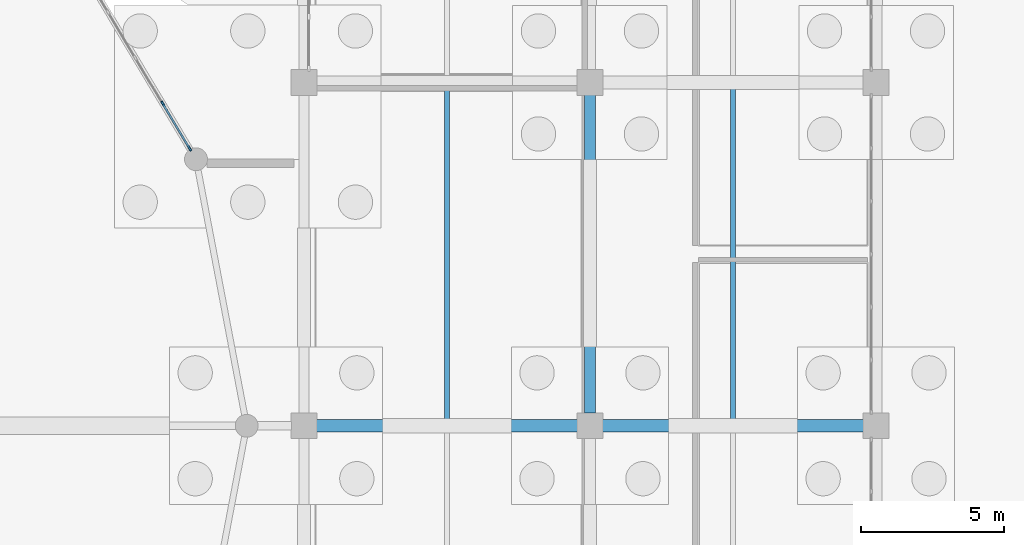
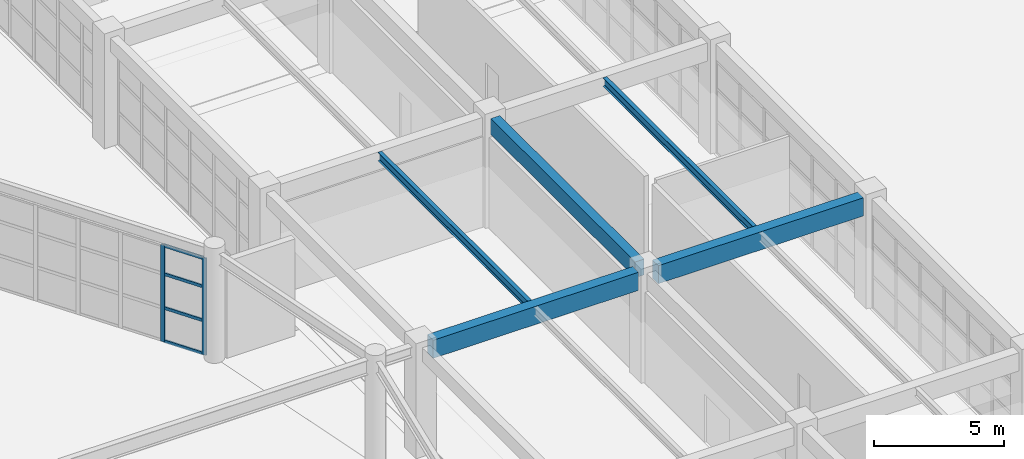
# One storey, part 45 of 99: 6 members, 5 beams, 1 element without a shape of its own.
"""IFC4 building model written with IfcOpenShell, lengths in metres."""

from ifc_helpers import new_model, si_unit, direction, frame, origin, origin_2d, place, context, subcontext, project, spatial, rectangle, i_section, extrude, material, layer, layer_set, material_profile, profile_set, type_object, element, aggregate, save


model = new_model("IFC4")

# Units and contexts
model_context = context("Model", 3, precision=1e-05, world=origin(), true_north=direction((0.0, 1.0)))
body_context = subcontext(model_context, "Body", "Model", "MODEL_VIEW")
ifc_project = project(units=[si_unit("LENGTHUNIT", "METRE"), si_unit("AREAUNIT", "SQUARE_METRE"), si_unit("VOLUMEUNIT", "CUBIC_METRE"), si_unit("PLANEANGLEUNIT", "RADIAN"), si_unit("MASSUNIT", "GRAM", prefix="KILO")], contexts=[model_context])

# Site, building, storey
site_placement = place(None, origin())
site = spatial("IfcSite", under=ifc_project, at=site_placement, CompositionType="ELEMENT")
building_placement = place(site_placement, origin())
building = spatial("IfcBuilding", under=site, at=building_placement, Name="Kivolera Central Railway Station", CompositionType="ELEMENT")
storey_placement = place(building_placement, origin())
storey = spatial("IfcBuildingStorey", under=building, at=storey_placement, Name="L00", CompositionType="ELEMENT", Elevation=0.0)

# Beams
ifc_material_1 = material(Name="Steel S355", Category="steel")
ifc_material_profile_1 = material_profile(ifc_material_1, i_section(OverallWidth=0.179931640625, OverallDepth=0.39990234375, WebThickness=0.008544921875, FlangeThickness=0.013427734375, FilletRadius=0.02099609375, at=origin_2d()), Name="IPE 400")
ifc_profile_set_1 = profile_set([ifc_material_profile_1], Name="Steel S355")
beam_type_1 = type_object("IfcBeamType", Name="BM-JST-IPE400", PredefinedType="JOIST", material=ifc_profile_set_1)
for number, where, z_axis, x_axis, name in (
    (1, (123.0, 90.217041015625, 4.907958984375), (0.0, 1.0, 0.0), (-1.0, 0.0, 0.0), "L00 Floor Joist 12-13/H-J"),
    (2, (133.0, 90.217041015625, 4.907958984375), (0.0, 1.0, 0.0), (-1.0, 0.0, 0.0), "L00 Floor Joist 13-14/H-J"),
):
    element("IfcBeam", number, at=place(storey_placement, frame(where, z_axis=z_axis, x_axis=x_axis)), inside=storey, type_object=beam_type_1, Name=name, PredefinedType="JOIST", context=body_context, shape_type="SweptSolid", body=[
        extrude(i_section(OverallWidth=0.179931640625, OverallDepth=0.39990234375, WebThickness=0.008544921875, FlangeThickness=0.013427734375, FilletRadius=0.02099609375, at=origin_2d()), origin(), (0.0, 0.0, 1.0), 11.56591796875),
    ])
ifc_material_2 = material(Name="Concrete C40/50", Category="concrete")
ifc_material_profile_2 = material_profile(ifc_material_2, rectangle(XDim=0.39990234375, YDim=0.75, at=origin_2d()), Name="RC 400x750")
ifc_profile_set_2 = profile_set([ifc_material_profile_2], Name="Concrete C40/50")
beam_type_2 = type_object("IfcBeamType", Name="BM-RC-400x750", PredefinedType="BEAM", material=ifc_profile_set_2)
beam_placement = place(storey_placement, frame((128.0, 90.44189453125, 4.7451171875), z_axis=(0.0, 1.0, 0.0), x_axis=(-1.0, 0.0, 0.0)))
element("IfcBeam", 3, at=beam_placement, inside=storey, type_object=beam_type_2, Name="L00 Wing Y-Beam 13:H-J", PredefinedType="BEAM", context=body_context, shape_type="SweptSolid", body=[
    extrude(rectangle(XDim=0.39990234375, YDim=0.75, at=origin_2d()), origin(), (0.0, 0.0, 1.0), 11.1162109375),
])
ifc_material_profile_3 = material_profile(ifc_material_2, rectangle(XDim=0.449951171875, YDim=0.85009765625, at=origin_2d()), Name="RC 450x850")
ifc_profile_set_3 = profile_set([ifc_material_profile_3], Name="Concrete C40/50")
beam_type_3 = type_object("IfcBeamType", Name="BM-RC-450x850", PredefinedType="BEAM", material=ifc_profile_set_3)
for number, where, z_axis, x_axis, name in (
    (4, (118.44189453125, 90.0, 4.695068359375), (1.0, 0.0, 0.0), (0.0, 1.0, 0.0), "L00 Wing X-Beam H:12-13"),
    (5, (128.44189453125, 90.0, 4.695068359375), (1.0, 0.0, 0.0), (0.0, 1.0, 0.0), "L00 Wing X-Beam H:13-14"),
):
    element("IfcBeam", number, at=place(storey_placement, frame(where, z_axis=z_axis, x_axis=x_axis)), inside=storey, type_object=beam_type_3, Name=name, PredefinedType="BEAM", context=body_context, shape_type="SweptSolid", body=[
        extrude(rectangle(XDim=0.449951171875, YDim=0.85009765625, at=origin_2d()), origin(), (0.0, 0.0, 1.0), 9.1162109375),
    ])

# Curtain wall, members
ifc_material_3 = material(Name="Anodised aluminium", Category="aluminium")
ifc_layer = layer(ifc_material_3, 0.179931640625, Name="Anodised aluminium")
ifc_layer_set = layer_set([ifc_layer], Name="Anodised aluminium")
curtain_wall_type = type_object("IfcCurtainWallType", Name="CW-SYS-01", PredefinedType="NOTDEFINED", material=ifc_layer_set)
curtain_wall_placement = place(storey_placement, origin())
curtain_wall = element("IfcCurtainWall", 6, at=curtain_wall_placement, inside=storey, type_object=curtain_wall_type, Name="L00 Curtain Wall CW-L00-OVL-01", PredefinedType="NOTDEFINED")
ifc_material_profile_4 = material_profile(ifc_material_3, rectangle(XDim=0.070068359375, YDim=0.179931640625, at=origin_2d()), Name="ALU MULL 70x180")
ifc_profile_set_4 = profile_set([ifc_material_profile_4], Name="Anodised aluminium")
member_type_1 = type_object("IfcMemberType", Name="CWM-MUL-1", PredefinedType="MULLION", material=ifc_profile_set_4)
member_1_placement = place(storey_placement, frame((113.06591796875, 101.259521484375, -0.0048828125), z_axis=(0.0, 0.0, 1.0), x_axis=(0.858117186396, 0.513453887327, 0.0)))
member_1 = element("IfcMember", 7, at=member_1_placement, type_object=member_type_1, Name="CW-01 mullion 5", PredefinedType="MULLION", context=body_context, shape_type="SweptSolid", body=[
    extrude(rectangle(XDim=0.070068359375, YDim=0.179931640625, at=origin_2d()), origin(), (0.0, 0.0, 1.0), 4.554931640625),
])
member_2_placement = place(storey_placement, frame((114.005126953125, 99.68994140625, -0.0048828125), z_axis=(0.0, 0.0, 1.0), x_axis=(0.858117186396, 0.513453887327, 0.0)))
member_2 = element("IfcMember", 8, at=member_2_placement, type_object=member_type_1, Name="CW-01 mullion 6", PredefinedType="MULLION", context=body_context, shape_type="SweptSolid", body=[
    extrude(rectangle(XDim=0.070068359375, YDim=0.179931640625, at=origin_2d()), origin(), (0.0, 0.0, 1.0), 4.554931640625),
])
ifc_material_profile_5 = material_profile(ifc_material_3, rectangle(XDim=0.070068359375, YDim=0.139892578125, at=origin_2d()), Name="ALU TRAN 70x140")
ifc_profile_set_5 = profile_set([ifc_material_profile_5], Name="Anodised aluminium")
member_type_2 = type_object("IfcMemberType", Name="CWM-TRN-1", PredefinedType="USERDEFINED", material=ifc_profile_set_5)
member_3_placement = place(storey_placement, frame((113.083984375, 101.229248046875, 0.034912109375), z_axis=(0.513454309114, -0.85811693402, 0.0), x_axis=(0.85811693402, 0.513454309114, 0.0)))
member_3 = element("IfcMember", 9, at=member_3_placement, type_object=member_type_2, Name="CW-01 transom 5.1", ObjectType="TRANSOM", PredefinedType="USERDEFINED", context=body_context, shape_type="SweptSolid", body=[
    extrude(rectangle(XDim=0.070068359375, YDim=0.139892578125, at=origin_2d()), origin(), (0.0, 0.0, 1.0), 1.7587890625),
])
member_4_placement = place(storey_placement, frame((113.083984375, 101.229248046875, 1.592529296875), z_axis=(0.513454309114, -0.85811693402, 0.0), x_axis=(0.85811693402, 0.513454309114, 0.0)))
member_4 = element("IfcMember", 10, at=member_4_placement, type_object=member_type_2, Name="CW-01 transom 5.2", ObjectType="TRANSOM", PredefinedType="USERDEFINED", context=body_context, shape_type="SweptSolid", body=[
    extrude(rectangle(XDim=0.070068359375, YDim=0.139892578125, at=origin_2d()), origin(), (0.0, 0.0, 1.0), 1.7587890625),
])
member_5_placement = place(storey_placement, frame((113.083984375, 101.229248046875, 3.18505859375), z_axis=(0.513454309114, -0.85811693402, 0.0), x_axis=(0.85811693402, 0.513454309114, 0.0)))
member_5 = element("IfcMember", 11, at=member_5_placement, type_object=member_type_2, Name="CW-01 transom 5.3", ObjectType="TRANSOM", PredefinedType="USERDEFINED", context=body_context, shape_type="SweptSolid", body=[
    extrude(rectangle(XDim=0.070068359375, YDim=0.139892578125, at=origin_2d()), origin(), (0.0, 0.0, 1.0), 1.7587890625),
])
member_6_placement = place(storey_placement, frame((113.083984375, 101.229248046875, 4.514892578125), z_axis=(0.513454309114, -0.85811693402, 0.0), x_axis=(0.85811693402, 0.513454309114, 0.0)))
member_6 = element("IfcMember", 12, at=member_6_placement, type_object=member_type_2, Name="CW-01 transom 5.4", ObjectType="TRANSOM", PredefinedType="USERDEFINED", context=body_context, shape_type="SweptSolid", body=[
    extrude(rectangle(XDim=0.070068359375, YDim=0.139892578125, at=origin_2d()), origin(), (0.0, 0.0, 1.0), 1.7587890625),
])
aggregate(curtain_wall, [member_1, member_2, member_3, member_4, member_5, member_6])

save(model, "model.ifc")
